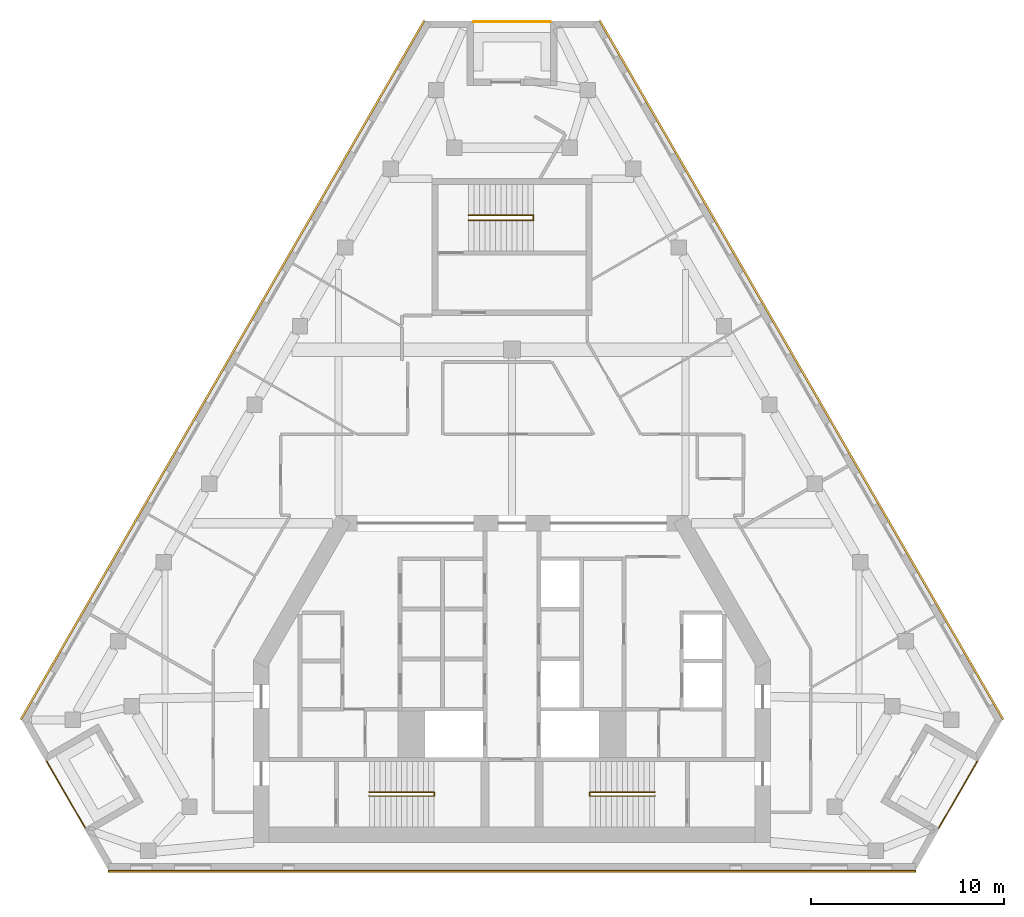
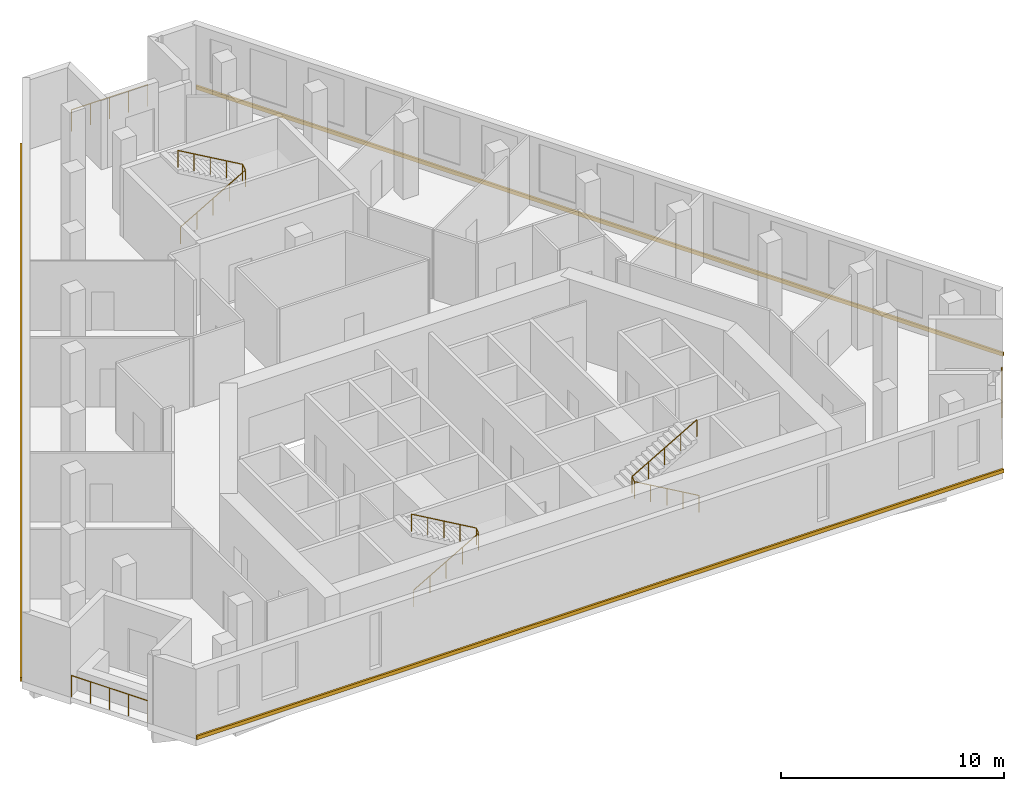
# One storey, part 9 of 9: 6 railings, 3 coverings.
"""IFC4 building model written with IfcOpenShell, lengths in metres."""

from ifc_helpers import new_model, si_unit, direction, frame, origin, origin_2d, place, context, subcontext, project, spatial, polyline, circle, outline, extrude, material, type_object, element, save


model = new_model("IFC4")

# Units and contexts
model_context = context("Model", 3, precision=1e-05, world=origin(), true_north=direction((0.0, 1.0)))
body_context = subcontext(model_context, "Body", "Model", "MODEL_VIEW")
ifc_project = project(units=[si_unit("LENGTHUNIT", "METRE"), si_unit("AREAUNIT", "SQUARE_METRE"), si_unit("VOLUMEUNIT", "CUBIC_METRE"), si_unit("PLANEANGLEUNIT", "RADIAN"), si_unit("MASSUNIT", "GRAM", prefix="KILO")], contexts=[model_context])

# Site, building, storey
site_placement = place(None, origin())
site = spatial("IfcSite", under=ifc_project, at=site_placement, CompositionType="ELEMENT")
building_placement = place(site_placement, origin())
building = spatial("IfcBuilding", under=site, at=building_placement, Name="Fogline Exchange Tower", CompositionType="ELEMENT")
storey_placement = place(building_placement, frame((0.0, 0.0, 279.300048828125)))
storey = spatial("IfcBuildingStorey", under=building, at=storey_placement, Name="L63", CompositionType="ELEMENT", Elevation=279.300048828125)

# Railings
ifc_material_1 = material(Name="Stainless steel 304", Category="steel")
railing_type_1 = type_object("IfcRailingType", Name="G1", PredefinedType="GUARDRAIL", material=ifc_material_1)
railing_1_placement = place(storey_placement, frame((-24.120849609375, 5.635986328125, 0.0)))
element("IfcRailing", 1, at=railing_1_placement, inside=storey, type_object=railing_type_1, Name="Balcony guard L63 SW", PredefinedType="GUARDRAIL", context=body_context, shape_type="SweptSolid", body=[
    extrude(circle(Radius=0.02392578125, at=origin_2d()), frame((0.0, 0.0, 1.17578125), z_axis=(0.500000102728, -0.866025344474, 0.0), x_axis=(0.866025344474, 0.500000102728, 0.0)), (0.0, 0.0, 1.0), 3.9580078125),
    extrude(circle(Radius=0.02099609375, at=origin_2d()), origin(), (0.0, 0.0, 1.0), 1.15185546875),
    extrude(circle(Radius=0.02099609375, at=origin_2d()), frame((0.49462890625, -0.85693359375, 0.0)), (0.0, 0.0, 1.0), 1.15185546875),
    extrude(circle(Radius=0.02099609375, at=origin_2d()), frame((0.989501953125, -1.7138671875, 0.0)), (0.0, 0.0, 1.0), 1.15185546875),
    extrude(circle(Radius=0.02099609375, at=origin_2d()), frame((1.484375, -2.57080078125, 0.0)), (0.0, 0.0, 1.0), 1.15185546875),
    extrude(circle(Radius=0.02099609375, at=origin_2d()), frame((1.97900390625, -3.427734375, 0.0)), (0.0, 0.0, 1.0), 1.15185546875),
])
railing_2_placement = place(storey_placement, frame((22.141845703125, 2.208251953125, 0.0)))
element("IfcRailing", 2, at=railing_2_placement, inside=storey, type_object=railing_type_1, Name="Balcony guard L63 SE", PredefinedType="GUARDRAIL", context=body_context, shape_type="SweptSolid", body=[
    extrude(circle(Radius=0.02392578125, at=origin_2d()), frame((0.0, 0.0, 1.17578125), z_axis=(0.500000102728, 0.866025344474, 0.0), x_axis=(-0.866025344474, 0.500000102728, 0.0)), (0.0, 0.0, 1.0), 3.9580078125),
    extrude(circle(Radius=0.02099609375, at=origin_2d()), origin(), (0.0, 0.0, 1.0), 1.15185546875),
    extrude(circle(Radius=0.02099609375, at=origin_2d()), frame((0.49462890625, 0.85693359375, 0.0)), (0.0, 0.0, 1.0), 1.15185546875),
    extrude(circle(Radius=0.02099609375, at=origin_2d()), frame((0.989501953125, 1.7138671875, 0.0)), (0.0, 0.0, 1.0), 1.15185546875),
    extrude(circle(Radius=0.02099609375, at=origin_2d()), frame((1.484375, 2.57080078125, 0.0)), (0.0, 0.0, 1.0), 1.15185546875),
    extrude(circle(Radius=0.02099609375, at=origin_2d()), frame((1.97900390625, 3.427734375, 0.0)), (0.0, 0.0, 1.0), 1.15185546875),
])
railing_3_placement = place(storey_placement, frame((1.97900390625, 43.98681640625, 0.0)))
element("IfcRailing", 3, at=railing_3_placement, inside=storey, type_object=railing_type_1, Name="Balcony guard L63 N", PredefinedType="GUARDRAIL", context=body_context, shape_type="SweptSolid", body=[
    extrude(circle(Radius=0.02392578125, at=origin_2d()), frame((0.0, 0.0, 1.17578125), z_axis=(-1.0, 0.0, 0.0), x_axis=(0.0, -1.0, 0.0)), (0.0, 0.0, 1.0), 3.9580078125),
    extrude(circle(Radius=0.02099609375, at=origin_2d()), origin(), (0.0, 0.0, 1.0), 1.15185546875),
    extrude(circle(Radius=0.02099609375, at=origin_2d()), frame((-0.989501953125, 0.0, 0.0)), (0.0, 0.0, 1.0), 1.15185546875),
    extrude(circle(Radius=0.02099609375, at=origin_2d()), frame((-1.97900390625, 0.0, 0.0)), (0.0, 0.0, 1.0), 1.15185546875),
    extrude(circle(Radius=0.02099609375, at=origin_2d()), frame((-2.968505859375, 0.0, 0.0)), (0.0, 0.0, 1.0), 1.15185546875),
    extrude(circle(Radius=0.02099609375, at=origin_2d()), frame((-3.9580078125, 0.0, 0.0)), (0.0, 0.0, 1.0), 1.15185546875),
])
ifc_material_2 = material(Name="Steel Q235B", Category="steel")
railing_type_2 = type_object("IfcRailingType", Name="RL-HR", PredefinedType="HANDRAIL", material=ifc_material_2)
railing_4_placement = place(storey_placement, frame((-7.39990234375, 3.85009765625, 0.161376953125)))
element("IfcRailing", 4, at=railing_4_placement, inside=storey, type_object=railing_type_2, Name="Handrail ST1", PredefinedType="HANDRAIL", context=body_context, shape_type="SweptSolid", body=[
    extrude(circle(Radius=0.02392578125, at=origin_2d()), frame((0.0, 0.0, 0.92578125), z_axis=(0.866175107563, 0.0, 0.499740615757), x_axis=(0.0, 1.0, 0.0)), (0.0, 0.0, 1.0), 3.87890625),
    extrude(circle(Radius=0.02392578125, at=origin_2d()), frame((3.35986328125, 0.0, 2.8642578125), z_axis=(0.0, 0.777709044463, 0.628624404682), x_axis=(-1.0, 0.0, 0.0)), (0.0, 0.0, 1.0), 0.257080078125),
    extrude(circle(Radius=0.02392578125, at=origin_2d()), frame((3.35986328125, 0.199951171875, 3.02587890625), z_axis=(-0.866175107563, 0.0, 0.499740615757), x_axis=(0.0, -1.0, 0.0)), (0.0, 0.0, 1.0), 3.87890625),
    extrude(circle(Radius=0.02099609375, at=origin_2d()), origin(), (0.0, 0.0, 1.0), 0.90185546875),
    extrude(circle(Radius=0.02099609375, at=origin_2d()), frame((0.83984375, 0.0, 0.484619140625)), (0.0, 0.0, 1.0), 0.90185546875),
    extrude(circle(Radius=0.02099609375, at=origin_2d()), frame((1.679931640625, 0.0, 0.96923828125)), (0.0, 0.0, 1.0), 0.90185546875),
    extrude(circle(Radius=0.02099609375, at=origin_2d()), frame((2.52001953125, 0.0, 1.453857421875)), (0.0, 0.0, 1.0), 0.90185546875),
    extrude(circle(Radius=0.02099609375, at=origin_2d()), frame((3.35986328125, 0.0, 1.9384765625)), (0.0, 0.0, 1.0), 0.90185546875),
    extrude(circle(Radius=0.02099609375, at=origin_2d()), frame((3.35986328125, 0.199951171875, 2.10009765625)), (0.0, 0.0, 1.0), 0.90185546875),
    extrude(circle(Radius=0.02099609375, at=origin_2d()), frame((2.52001953125, 0.199951171875, 2.584716796875)), (0.0, 0.0, 1.0), 0.90185546875),
    extrude(circle(Radius=0.02099609375, at=origin_2d()), frame((1.679931640625, 0.199951171875, 3.0693359375)), (0.0, 0.0, 1.0), 0.90185546875),
    extrude(circle(Radius=0.02099609375, at=origin_2d()), frame((0.83984375, 0.199951171875, 3.553955078125)), (0.0, 0.0, 1.0), 0.90185546875),
    extrude(circle(Radius=0.02099609375, at=origin_2d()), frame((0.0, 0.199951171875, 4.03857421875)), (0.0, 0.0, 1.0), 0.90185546875),
])
railing_5_placement = place(storey_placement, frame((7.39990234375, 3.85009765625, 0.161376953125)))
element("IfcRailing", 5, at=railing_5_placement, inside=storey, type_object=railing_type_2, Name="Handrail ST2", PredefinedType="HANDRAIL", context=body_context, shape_type="SweptSolid", body=[
    extrude(circle(Radius=0.02392578125, at=origin_2d()), frame((0.0, 0.0, 0.92578125), z_axis=(-0.866175107563, 0.0, 0.499740615757), x_axis=(0.0, -1.0, 0.0)), (0.0, 0.0, 1.0), 3.87890625),
    extrude(circle(Radius=0.02392578125, at=origin_2d()), frame((-3.35986328125, 0.0, 2.8642578125), z_axis=(0.0, 0.777709044463, 0.628624404682), x_axis=(-1.0, 0.0, 0.0)), (0.0, 0.0, 1.0), 0.257080078125),
    extrude(circle(Radius=0.02392578125, at=origin_2d()), frame((-3.35986328125, 0.199951171875, 3.02587890625), z_axis=(0.866175107563, 0.0, 0.499740615757), x_axis=(0.0, 1.0, 0.0)), (0.0, 0.0, 1.0), 3.87890625),
    extrude(circle(Radius=0.02099609375, at=origin_2d()), origin(), (0.0, 0.0, 1.0), 0.90185546875),
    extrude(circle(Radius=0.02099609375, at=origin_2d()), frame((-0.83984375, 0.0, 0.484619140625)), (0.0, 0.0, 1.0), 0.90185546875),
    extrude(circle(Radius=0.02099609375, at=origin_2d()), frame((-1.679931640625, 0.0, 0.96923828125)), (0.0, 0.0, 1.0), 0.90185546875),
    extrude(circle(Radius=0.02099609375, at=origin_2d()), frame((-2.52001953125, 0.0, 1.453857421875)), (0.0, 0.0, 1.0), 0.90185546875),
    extrude(circle(Radius=0.02099609375, at=origin_2d()), frame((-3.35986328125, 0.0, 1.9384765625)), (0.0, 0.0, 1.0), 0.90185546875),
    extrude(circle(Radius=0.02099609375, at=origin_2d()), frame((-3.35986328125, 0.199951171875, 2.10009765625)), (0.0, 0.0, 1.0), 0.90185546875),
    extrude(circle(Radius=0.02099609375, at=origin_2d()), frame((-2.52001953125, 0.199951171875, 2.584716796875)), (0.0, 0.0, 1.0), 0.90185546875),
    extrude(circle(Radius=0.02099609375, at=origin_2d()), frame((-1.679931640625, 0.199951171875, 3.0693359375)), (0.0, 0.0, 1.0), 0.90185546875),
    extrude(circle(Radius=0.02099609375, at=origin_2d()), frame((-0.83984375, 0.199951171875, 3.553955078125)), (0.0, 0.0, 1.0), 0.90185546875),
    extrude(circle(Radius=0.02099609375, at=origin_2d()), frame((0.0, 0.199951171875, 4.03857421875)), (0.0, 0.0, 1.0), 0.90185546875),
])
railing_6_placement = place(storey_placement, frame((-2.25, 33.70703125, 0.161376953125)))
element("IfcRailing", 6, at=railing_6_placement, inside=storey, type_object=railing_type_2, Name="Handrail ST3", PredefinedType="HANDRAIL", context=body_context, shape_type="SweptSolid", body=[
    extrude(circle(Radius=0.02392578125, at=origin_2d()), frame((0.0, 0.0, 0.92578125), z_axis=(0.866190824863, 0.0, 0.499713372768), x_axis=(0.0, 1.0, 0.0)), (0.0, 0.0, 1.0), 3.879150390625),
    extrude(circle(Radius=0.02392578125, at=origin_2d()), frame((3.360107421875, 0.0, 2.8642578125), z_axis=(0.0, 0.839790117141, 0.542911189011), x_axis=(-1.0, 0.0, 0.0)), (0.0, 0.0, 1.0), 0.297607421875),
    extrude(circle(Radius=0.02392578125, at=origin_2d()), frame((3.360107421875, 0.25, 3.02587890625), z_axis=(-0.866190824863, 0.0, 0.499713372768), x_axis=(0.0, -1.0, 0.0)), (0.0, 0.0, 1.0), 3.879150390625),
    extrude(circle(Radius=0.02099609375, at=origin_2d()), origin(), (0.0, 0.0, 1.0), 0.90185546875),
    extrude(circle(Radius=0.02099609375, at=origin_2d()), frame((0.840087890625, 0.0, 0.484619140625)), (0.0, 0.0, 1.0), 0.90185546875),
    extrude(circle(Radius=0.02099609375, at=origin_2d()), frame((1.68017578125, 0.0, 0.96923828125)), (0.0, 0.0, 1.0), 0.90185546875),
    extrude(circle(Radius=0.02099609375, at=origin_2d()), frame((2.52001953125, 0.0, 1.453857421875)), (0.0, 0.0, 1.0), 0.90185546875),
    extrude(circle(Radius=0.02099609375, at=origin_2d()), frame((3.360107421875, 0.0, 1.9384765625)), (0.0, 0.0, 1.0), 0.90185546875),
    extrude(circle(Radius=0.02099609375, at=origin_2d()), frame((3.360107421875, 0.25, 2.10009765625)), (0.0, 0.0, 1.0), 0.90185546875),
    extrude(circle(Radius=0.02099609375, at=origin_2d()), frame((2.52001953125, 0.25, 2.584716796875)), (0.0, 0.0, 1.0), 0.90185546875),
    extrude(circle(Radius=0.02099609375, at=origin_2d()), frame((1.68017578125, 0.25, 3.0693359375)), (0.0, 0.0, 1.0), 0.90185546875),
    extrude(circle(Radius=0.02099609375, at=origin_2d()), frame((0.840087890625, 0.25, 3.553955078125)), (0.0, 0.0, 1.0), 0.90185546875),
    extrude(circle(Radius=0.02099609375, at=origin_2d()), frame((0.0, 0.25, 4.03857421875)), (0.0, 0.0, 1.0), 0.90185546875),
])

# Coverings
ifc_material_3 = material(Name="Brick masonry", Category="masonry")
covering_type = type_object("IfcCoveringType", Name="SB1", PredefinedType="CLADDING", material=ifc_material_3)
covering_1_placement = place(storey_placement, origin())
element("IfcCovering", 7, at=covering_1_placement, inside=storey, type_object=covering_type, Name="Stringcourse band L63 S", PredefinedType="CLADDING", context=body_context, shape_type="SweptSolid", body=[
    extrude(outline(polyline([(-20.924560546875, 0.0), (-20.924560546875, -0.10009765625), (20.924560546875, -0.10009765625), (20.924560546875, 0.0), (-20.924560546875, 0.0)])), origin(), (0.0, 0.0, 1.0), 0.199951171875),
])
covering_2_placement = place(storey_placement, origin())
element("IfcCovering", 8, at=covering_2_placement, inside=storey, type_object=covering_type, Name="Stringcourse band L63 E", PredefinedType="CLADDING", context=body_context, shape_type="SweptSolid", body=[
    extrude(outline(polyline([(25.424560546875, 7.794189453125), (25.51123046875, 7.84423828125), (4.586669921875, 44.086669921875), (4.5, 44.03662109375), (25.424560546875, 7.794189453125)])), origin(), (0.0, 0.0, 1.0), 0.199951171875),
])
covering_3_placement = place(storey_placement, origin())
element("IfcCovering", 9, at=covering_3_placement, inside=storey, type_object=covering_type, Name="Stringcourse band L63 W", PredefinedType="CLADDING", context=body_context, shape_type="SweptSolid", body=[
    extrude(outline(polyline([(-4.5, 44.03662109375), (-4.586669921875, 44.086669921875), (-25.51123046875, 7.84423828125), (-25.424560546875, 7.794189453125), (-4.5, 44.03662109375)])), origin(), (0.0, 0.0, 1.0), 0.199951171875),
])

save(model, "model.ifc")
